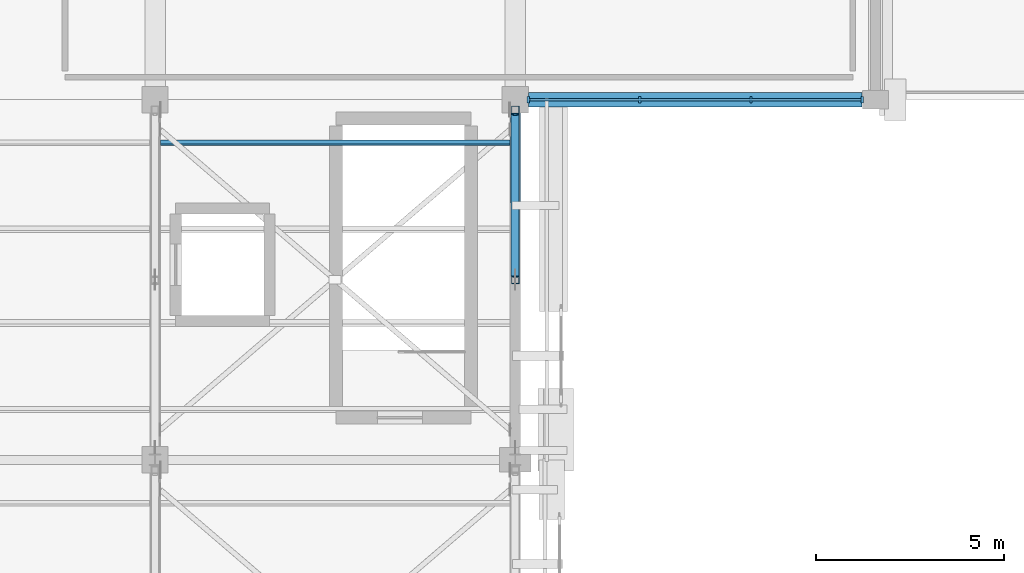
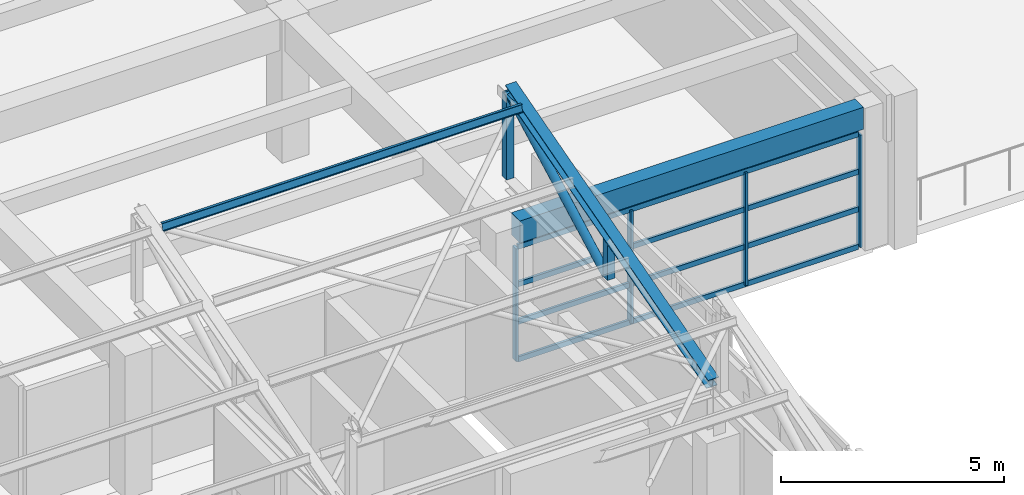
# One storey, part 26 of 71: 13 members, 1 beam, 1 element without a shape of its own.
"""IFC4 building model written with IfcOpenShell, lengths in metres."""

from ifc_helpers import new_model, si_unit, direction, frame, origin, origin_2d, place, context, subcontext, project, spatial, rectangle, hollow_rectangle, hollow_circle, i_section, extrude, material, layer, layer_set, material_profile, profile_set, type_object, element, aggregate, save


model = new_model("IFC4")

# Units and contexts
model_context = context("Model", 3, precision=1e-05, world=origin(), true_north=direction((0.0, 1.0)))
body_context = subcontext(model_context, "Body", "Model", "MODEL_VIEW")
ifc_project = project(units=[si_unit("LENGTHUNIT", "METRE"), si_unit("AREAUNIT", "SQUARE_METRE"), si_unit("VOLUMEUNIT", "CUBIC_METRE"), si_unit("PLANEANGLEUNIT", "RADIAN"), si_unit("MASSUNIT", "GRAM", prefix="KILO")], contexts=[model_context])

# Site, building, storey
site_placement = place(None, origin())
site = spatial("IfcSite", under=ifc_project, at=site_placement, CompositionType="ELEMENT")
building_placement = place(site_placement, origin())
building = spatial("IfcBuilding", under=site, at=building_placement, Name="Bempovik Park Faculty of Sciences", CompositionType="ELEMENT")
storey_placement = place(building_placement, frame((0.0, 0.0, 14.10009765625)))
storey = spatial("IfcBuildingStorey", under=building, at=storey_placement, Name="L03", CompositionType="ELEMENT", Elevation=14.10009765625)

# Beam
ifc_material_1 = material(Name="Concrete C35/45", Category="concrete")
ifc_material_profile_1 = material_profile(ifc_material_1, rectangle(XDim=0.3798828125, YDim=0.60009765625, at=origin_2d()), Name="RC 380x600")
ifc_profile_set_1 = profile_set([ifc_material_profile_1], Name="Concrete C35/45")
beam_type = type_object("IfcBeamType", Name="B-032 RC 380x600", PredefinedType="SPANDREL", material=ifc_profile_set_1)
beam_placement = place(storey_placement, frame((117.9560546875, 67.800048828125, 3.599853515625), z_axis=(1.0, 0.0, 0.0), x_axis=(0.0, 1.0, 0.0)))
element("IfcBeam", 1, at=beam_placement, inside=storey, type_object=beam_type, Name="L03 Beam X (117.6-127.2, y=67.8)", PredefinedType="SPANDREL", context=body_context, shape_type="SweptSolid", body=[
    extrude(rectangle(XDim=0.3798828125, YDim=0.60009765625, at=origin_2d()), origin(), (0.0, 0.0, 1.0), 8.887939453125),
])

# Members
ifc_material_2 = material(Name="Steel S355", Category="steel")
ifc_material_profile_2 = material_profile(ifc_material_2, hollow_circle(Radius=0.109619140625, WallThickness=0.010009765625, at=origin_2d()), Name="CHS 219.1x10")
ifc_profile_set_2 = profile_set([ifc_material_profile_2], Name="Steel S355")
member_type_1 = type_object("IfcMemberType", Name="M-22 CHS 219.1x10", PredefinedType="BRACE", material=ifc_profile_set_2)
member_1_placement = place(storey_placement, frame((117.60009765625, 63.10498046875, 5.285888671875), z_axis=(0.0, 0.882187464719, 0.470898372361), x_axis=(-1.0, 0.0, 0.0)))
element("IfcMember", 2, at=member_1_placement, inside=storey, type_object=member_type_1, Name="Sawtooth Web Diagonal 2 V1-B5 (117.6)", PredefinedType="BRACE", context=body_context, shape_type="SweptSolid", body=[
    extrude(hollow_circle(Radius=0.109619140625, WallThickness=0.010009765625, at=origin_2d()), origin(), (0.0, 0.0, 1.0), 4.902587890625),
])
ifc_material_profile_3 = material_profile(ifc_material_2, i_section(OverallWidth=0.280029296875, OverallDepth=0.280029296875, WebThickness=0.010498046875, FlangeThickness=0.01806640625, at=origin_2d()), Name="HEB 280")
ifc_profile_set_3 = profile_set([ifc_material_profile_3], Name="Steel S355")
member_type_2 = type_object("IfcMemberType", Name="M-26 HEB 280", PredefinedType="CHORD", material=ifc_profile_set_3)
member_2_placement = place(storey_placement, frame((117.60009765625, 58.35595703125, 5.212158203125), z_axis=(0.0, 0.962201828539, 0.272337366434), x_axis=(-1.0, 0.0, 0.0)))
element("IfcMember", 3, at=member_2_placement, inside=storey, type_object=member_type_2, Name="Sawtooth Top Rafter Chord V1-B5 (117.6)", PredefinedType="CHORD", context=body_context, shape_type="SweptSolid", body=[
    extrude(i_section(OverallWidth=0.280029296875, OverallDepth=0.280029296875, WebThickness=0.010498046875, FlangeThickness=0.01806640625, at=origin_2d()), origin(), (0.0, 0.0, 1.0), 9.445068359375),
])
ifc_material_profile_4 = material_profile(ifc_material_2, hollow_rectangle(XDim=0.199951171875, YDim=0.199951171875, WallThickness=0.010009765625, at=origin_2d()), Name="SHS 200x200x10")
ifc_profile_set_4 = profile_set([ifc_material_profile_4], Name="Steel S355")
member_type_3 = type_object("IfcMemberType", Name="M-44 SHS 200x200x10", PredefinedType="POST", material=ifc_profile_set_4)
member_3_placement = place(storey_placement, frame((117.60009765625, 67.530029296875, 5.285888671875), z_axis=(0.0, 0.0, 1.0), x_axis=(1.0, 0.0, 0.0)))
element("IfcMember", 4, at=member_3_placement, inside=storey, type_object=member_type_3, Name="Sawtooth North-Light Post V1-B5 (117.6)", PredefinedType="POST", context=body_context, shape_type="SweptSolid", body=[
    extrude(hollow_rectangle(XDim=0.199951171875, YDim=0.199951171875, WallThickness=0.010009765625, at=origin_2d()), origin(), (0.0, 0.0, 1.0), 2.30859375),
])
member_4_placement = place(storey_placement, frame((117.60009765625, 63.0, 5.285888671875), z_axis=(0.0, 0.0, 1.0), x_axis=(1.0, 0.0, 0.0)))
element("IfcMember", 5, at=member_4_placement, inside=storey, type_object=member_type_3, Name="Sawtooth Mid Post V1-B5 (117.6)", PredefinedType="POST", context=body_context, shape_type="SweptSolid", body=[
    extrude(hollow_rectangle(XDim=0.199951171875, YDim=0.199951171875, WallThickness=0.010009765625, at=origin_2d()), origin(), (0.0, 0.0, 1.0), 1.052490234375),
])
ifc_material_profile_5 = material_profile(ifc_material_2, i_section(OverallWidth=0.10009765625, OverallDepth=0.199951171875, WebThickness=0.005615234375, FlangeThickness=0.008544921875, at=origin_2d()), Name="IPE 200")
ifc_profile_set_5 = profile_set([ifc_material_profile_5], Name="Steel S355")
member_type_4 = type_object("IfcMemberType", Name="M-48 IPE 200", PredefinedType="PURLIN", material=ifc_profile_set_5)
member_5_placement = place(storey_placement, frame((108.14599609375, 66.64794921875, 7.7607421875), z_axis=(1.0, 0.0, 0.0), x_axis=(0.0, 0.965925826289, -0.258819045103)))
element("IfcMember", 6, at=member_5_placement, inside=storey, type_object=member_type_4, Name="Sawtooth Roof Purlin V1-B5 (108.0-117.6) #4", PredefinedType="PURLIN", context=body_context, shape_type="SweptSolid", body=[
    extrude(i_section(OverallWidth=0.10009765625, OverallDepth=0.199951171875, WebThickness=0.005615234375, FlangeThickness=0.008544921875, at=origin_2d()), origin(), (0.0, 0.0, 1.0), 9.30810546875),
])

# Curtain wall, members
ifc_material_3 = material(Name="Tempered laminated low-E glass", Category="glass")
ifc_layer = layer(ifc_material_3, 0.159912109375)
ifc_layer_set = layer_set([ifc_layer], Name="Tempered laminated low-E glass")
curtain_wall_type = type_object("IfcCurtainWallType", Name="CW-41 Curtain 6600x3800", PredefinedType="USERDEFINED", material=ifc_layer_set)
curtain_wall_placement = place(storey_placement, origin())
curtain_wall = element("IfcCurtainWall", 7, at=curtain_wall_placement, inside=storey, type_object=curtain_wall_type, Name="L03 Unitised Curtain Wall (67.8,117.6)", ObjectType="UNITISED CURTAIN WALL", PredefinedType="USERDEFINED")
ifc_material_4 = material(Name="Anodised architectural bronze", Category="aluminium")
ifc_material_profile_6 = material_profile(ifc_material_4, rectangle(XDim=0.06494140625, YDim=0.169921875, at=origin_2d()), Name="ALU-M 65x170")
ifc_profile_set_6 = profile_set([ifc_material_profile_6], Name="Anodised architectural bronze")
member_type_5 = type_object("IfcMemberType", Name="ML-15 ALU-M 65x170", PredefinedType="MULLION", material=ifc_profile_set_6)
member_6_placement = place(storey_placement, frame((117.951904296875, 67.800048828125, 0.0), z_axis=(0.0, 0.0, 1.0), x_axis=(1.0, 0.0, 0.0)))
member_6 = element("IfcMember", 8, at=member_6_placement, type_object=member_type_5, Name="CW-BAY-L03-678-1176 Mullion 0", PredefinedType="MULLION", context=body_context, shape_type="SweptSolid", body=[
    extrude(rectangle(XDim=0.06494140625, YDim=0.169921875, at=origin_2d()), origin(), (0.0, 0.0, 1.0), 3.079833984375),
])
member_7_placement = place(storey_placement, frame((120.917236328125, 67.800048828125, 0.0), z_axis=(0.0, 0.0, 1.0), x_axis=(1.0, 0.0, 0.0)))
member_7 = element("IfcMember", 9, at=member_7_placement, type_object=member_type_5, Name="CW-BAY-L03-678-1176 Mullion 1", PredefinedType="MULLION", context=body_context, shape_type="SweptSolid", body=[
    extrude(rectangle(XDim=0.06494140625, YDim=0.169921875, at=origin_2d()), origin(), (0.0, 0.0, 1.0), 3.079833984375),
])
member_8_placement = place(storey_placement, frame((123.8828125, 67.800048828125, 0.0), z_axis=(0.0, 0.0, 1.0), x_axis=(1.0, 0.0, 0.0)))
member_8 = element("IfcMember", 10, at=member_8_placement, type_object=member_type_5, Name="CW-BAY-L03-678-1176 Mullion 2", PredefinedType="MULLION", context=body_context, shape_type="SweptSolid", body=[
    extrude(rectangle(XDim=0.06494140625, YDim=0.169921875, at=origin_2d()), origin(), (0.0, 0.0, 1.0), 3.079833984375),
])
member_9_placement = place(storey_placement, frame((126.847900390625, 67.800048828125, 0.0), z_axis=(0.0, 0.0, 1.0), x_axis=(1.0, 0.0, 0.0)))
member_9 = element("IfcMember", 11, at=member_9_placement, type_object=member_type_5, Name="CW-BAY-L03-678-1176 Mullion 3", PredefinedType="MULLION", context=body_context, shape_type="SweptSolid", body=[
    extrude(rectangle(XDim=0.06494140625, YDim=0.169921875, at=origin_2d()), origin(), (0.0, 0.0, 1.0), 3.079833984375),
])
ifc_material_profile_7 = material_profile(ifc_material_4, rectangle(XDim=0.06494140625, YDim=0.139892578125, at=origin_2d()), Name="ALU-T 65x140")
ifc_profile_set_7 = profile_set([ifc_material_profile_7], Name="Anodised architectural bronze")
member_type_6 = type_object("IfcMemberType", Name="TR-17 ALU-T 65x140", PredefinedType="USERDEFINED", material=ifc_profile_set_7)
member_10_placement = place(storey_placement, frame((117.991943359375, 67.800048828125, 0.0), z_axis=(1.0, 0.0, 0.0), x_axis=(0.0, 1.0, 0.0)))
member_10 = element("IfcMember", 12, at=member_10_placement, type_object=member_type_6, Name="CW-BAY-L03-678-1176 Transom 0", ObjectType="TRANSOM", PredefinedType="USERDEFINED", context=body_context, shape_type="SweptSolid", body=[
    extrude(rectangle(XDim=0.06494140625, YDim=0.139892578125, at=origin_2d()), origin(), (0.0, 0.0, 1.0), 8.816162109375),
])
member_11_placement = place(storey_placement, frame((117.991943359375, 67.800048828125, 1.026611328125), z_axis=(1.0, 0.0, 0.0), x_axis=(0.0, 1.0, 0.0)))
member_11 = element("IfcMember", 13, at=member_11_placement, type_object=member_type_6, Name="CW-BAY-L03-678-1176 Transom 1", ObjectType="TRANSOM", PredefinedType="USERDEFINED", context=body_context, shape_type="SweptSolid", body=[
    extrude(rectangle(XDim=0.06494140625, YDim=0.139892578125, at=origin_2d()), origin(), (0.0, 0.0, 1.0), 8.816162109375),
])
member_12_placement = place(storey_placement, frame((117.991943359375, 67.800048828125, 2.05322265625), z_axis=(1.0, 0.0, 0.0), x_axis=(0.0, 1.0, 0.0)))
member_12 = element("IfcMember", 14, at=member_12_placement, type_object=member_type_6, Name="CW-BAY-L03-678-1176 Transom 2", ObjectType="TRANSOM", PredefinedType="USERDEFINED", context=body_context, shape_type="SweptSolid", body=[
    extrude(rectangle(XDim=0.06494140625, YDim=0.139892578125, at=origin_2d()), origin(), (0.0, 0.0, 1.0), 8.816162109375),
])
member_13_placement = place(storey_placement, frame((117.991943359375, 67.800048828125, 3.079833984375), z_axis=(1.0, 0.0, 0.0), x_axis=(0.0, 1.0, 0.0)))
member_13 = element("IfcMember", 15, at=member_13_placement, type_object=member_type_6, Name="CW-BAY-L03-678-1176 Transom 3", ObjectType="TRANSOM", PredefinedType="USERDEFINED", context=body_context, shape_type="SweptSolid", body=[
    extrude(rectangle(XDim=0.06494140625, YDim=0.139892578125, at=origin_2d()), origin(), (0.0, 0.0, 1.0), 8.816162109375),
])
aggregate(curtain_wall, [member_6, member_7, member_8, member_9, member_10, member_11, member_12, member_13])

save(model, "model.ifc")
